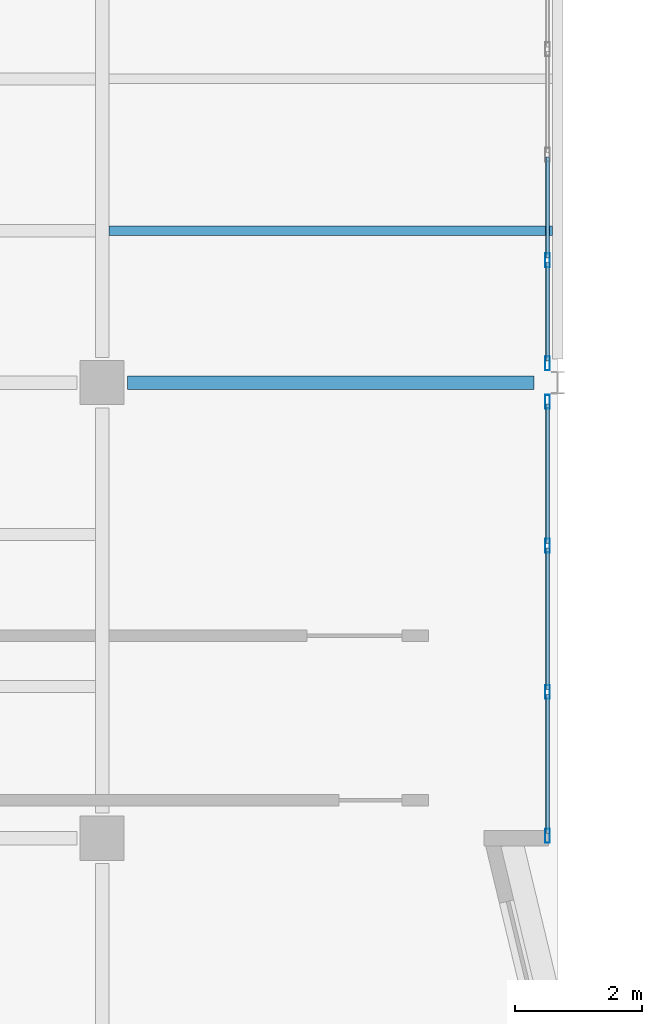
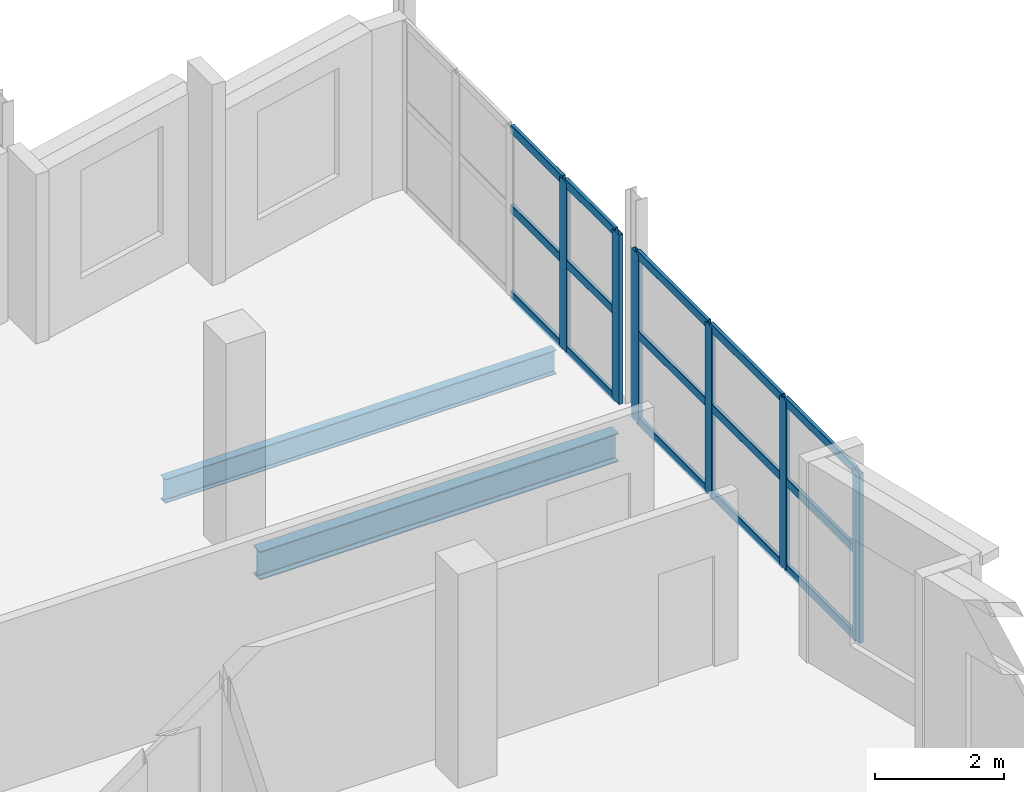
# One storey, part 11 of 38: 21 members, 2 beams, 2 elements without a shape of their own.
"""IFC4 building model written with IfcOpenShell, lengths in metres."""

from ifc_helpers import new_model, si_unit, direction, frame, origin, origin_2d, place, context, subcontext, project, spatial, hollow_rectangle, i_section, extrude, material, material_profile, profile_set, type_object, element, aggregate, save


model = new_model("IFC4")

# Units and contexts
model_context = context("Model", 3, precision=1e-05, world=origin(), true_north=direction((0.0, 1.0)))
body_context = subcontext(model_context, "Body", "Model", "MODEL_VIEW")
ifc_project = project(units=[si_unit("LENGTHUNIT", "METRE"), si_unit("AREAUNIT", "SQUARE_METRE"), si_unit("VOLUMEUNIT", "CUBIC_METRE"), si_unit("PLANEANGLEUNIT", "RADIAN"), si_unit("MASSUNIT", "GRAM", prefix="KILO")], contexts=[model_context])

# Site, building, storey
site_placement = place(None, origin())
site = spatial("IfcSite", under=ifc_project, at=site_placement, CompositionType="ELEMENT")
building_placement = place(site_placement, origin())
building = spatial("IfcBuilding", under=site, at=building_placement, Name="Kalmorath City Hall", CompositionType="ELEMENT")
storey_placement = place(building_placement, frame((0.0, 0.0, 18.89990234375)))
storey = spatial("IfcBuildingStorey", under=building, at=storey_placement, Name="L04", CompositionType="ELEMENT", Elevation=18.89990234375)

# Curtain wall, members
ifc_material_1 = material(Name="Anodised aluminium and laminated glass", Category="aluminium")
curtain_wall_type_1 = type_object("IfcCurtainWallType", Name="Unitised hurricane curtain wall 6670x3208 M1500", PredefinedType="NOTDEFINED", material=ifc_material_1)
curtain_wall_1_placement = place(storey_placement, origin())
curtain_wall_1 = element("IfcCurtainWall", 1, at=curtain_wall_1_placement, inside=storey, type_object=curtain_wall_type_1, Name="L04 curtain wall CW-67X32M15 #163", PredefinedType="NOTDEFINED")
ifc_material_2 = material(Name="Anodised aluminium framing", Category="aluminium")
ifc_material_profile_1 = material_profile(ifc_material_2, hollow_rectangle(XDim=0.074951171875, YDim=0.219970703125, WallThickness=0.00390625, InnerFilletRadius=0.00390625, OuterFilletRadius=0.008056640625, at=origin_2d()), Name="ALU-MUL-220X75X4")
ifc_profile_set_1 = profile_set([ifc_material_profile_1], Name="Anodised aluminium framing")
member_type_1 = type_object("IfcMemberType", Name="Curtain-wall primary mullion 220x75", PredefinedType="MULLION", material=ifc_profile_set_1)
member_1_placement = place(storey_placement, frame((35.840087890625, 30.732421875, 0.0), z_axis=(0.0, 0.0, 1.0), x_axis=(1.0, 0.0, 0.0)))
member_1 = element("IfcMember", 2, at=member_1_placement, type_object=member_type_1, Name="CW-67X32M15 mullion 4", PredefinedType="MULLION", context=body_context, shape_type="SweptSolid", body=[
    extrude(hollow_rectangle(XDim=0.074951171875, YDim=0.219970703125, WallThickness=0.00390625, InnerFilletRadius=0.00390625, OuterFilletRadius=0.008056640625, at=origin_2d()), origin(), (0.0, 0.0, 1.0), 3.2080078125),
])
member_2_placement = place(storey_placement, frame((35.840087890625, 29.1025390625, 0.0), z_axis=(0.0, 0.0, 1.0), x_axis=(1.0, 0.0, 0.0)))
member_2 = element("IfcMember", 3, at=member_2_placement, type_object=member_type_1, Name="CW-67X32M15 mullion 5", PredefinedType="MULLION", context=body_context, shape_type="SweptSolid", body=[
    extrude(hollow_rectangle(XDim=0.074951171875, YDim=0.219970703125, WallThickness=0.00390625, InnerFilletRadius=0.00390625, OuterFilletRadius=0.008056640625, at=origin_2d()), origin(), (0.0, 0.0, 1.0), 3.2080078125),
])

ifc_material_3 = material(Name="Anodised aluminium and laminated glass", Category="aluminium")
curtain_wall_type_2 = type_object("IfcCurtainWallType", Name="Unitised hurricane curtain wall 6935x3208 M2100", PredefinedType="NOTDEFINED", material=ifc_material_3)
curtain_wall_2_placement = place(storey_placement, origin())
curtain_wall_2 = element("IfcCurtainWall", 4, at=curtain_wall_2_placement, inside=storey, type_object=curtain_wall_type_2, Name="L04 curtain wall CW-69X32M21 #164", PredefinedType="NOTDEFINED")
member_3_placement = place(storey_placement, frame((35.840087890625, 28.49755859375, 0.0), z_axis=(0.0, 0.0, 1.0), x_axis=(1.0, 0.0, 0.0)))
member_3 = element("IfcMember", 5, at=member_3_placement, type_object=member_type_1, Name="CW-69X32M21 mullion 1", PredefinedType="MULLION", context=body_context, shape_type="SweptSolid", body=[
    extrude(hollow_rectangle(XDim=0.074951171875, YDim=0.219970703125, WallThickness=0.00390625, InnerFilletRadius=0.00390625, OuterFilletRadius=0.008056640625, at=origin_2d()), origin(), (0.0, 0.0, 1.0), 3.2080078125),
])
member_4_placement = place(storey_placement, frame((35.840087890625, 26.223388671875, 0.0), z_axis=(0.0, 0.0, 1.0), x_axis=(1.0, 0.0, 0.0)))
member_4 = element("IfcMember", 6, at=member_4_placement, type_object=member_type_1, Name="CW-69X32M21 mullion 2", PredefinedType="MULLION", context=body_context, shape_type="SweptSolid", body=[
    extrude(hollow_rectangle(XDim=0.074951171875, YDim=0.219970703125, WallThickness=0.00390625, InnerFilletRadius=0.00390625, OuterFilletRadius=0.008056640625, at=origin_2d()), origin(), (0.0, 0.0, 1.0), 3.2080078125),
])
member_5_placement = place(storey_placement, frame((35.840087890625, 23.91162109375, 0.0), z_axis=(0.0, 0.0, 1.0), x_axis=(1.0, 0.0, 0.0)))
member_5 = element("IfcMember", 7, at=member_5_placement, type_object=member_type_1, Name="CW-69X32M21 mullion 3", PredefinedType="MULLION", context=body_context, shape_type="SweptSolid", body=[
    extrude(hollow_rectangle(XDim=0.074951171875, YDim=0.219970703125, WallThickness=0.00390625, InnerFilletRadius=0.00390625, OuterFilletRadius=0.008056640625, at=origin_2d()), origin(), (0.0, 0.0, 1.0), 3.2080078125),
])
member_6_placement = place(storey_placement, frame((35.840087890625, 21.637451171875, 0.0), z_axis=(0.0, 0.0, 1.0), x_axis=(1.0, 0.0, 0.0)))
member_6 = element("IfcMember", 8, at=member_6_placement, type_object=member_type_1, Name="CW-69X32M21 mullion 4", PredefinedType="MULLION", context=body_context, shape_type="SweptSolid", body=[
    extrude(hollow_rectangle(XDim=0.074951171875, YDim=0.219970703125, WallThickness=0.00390625, InnerFilletRadius=0.00390625, OuterFilletRadius=0.008056640625, at=origin_2d()), origin(), (0.0, 0.0, 1.0), 3.2080078125),
])

# Member
ifc_material_4 = material(Name="Anodised aluminium framing", Category="aluminium")
ifc_material_profile_2 = material_profile(ifc_material_4, hollow_rectangle(XDim=0.06494140625, YDim=0.159912109375, WallThickness=0.00390625, InnerFilletRadius=0.00390625, OuterFilletRadius=0.008056640625, at=origin_2d()), Name="ALU-TRN-160X65X4")
ifc_profile_set_2 = profile_set([ifc_material_profile_2], Name="Anodised aluminium framing")
member_type_2 = type_object("IfcMemberType", Name="Curtain-wall primary transom 160x65", PredefinedType="USERDEFINED", material=ifc_profile_set_2)
member_7_placement = place(storey_placement, frame((35.840087890625, 32.362548828125, 0.03271484375), z_axis=(0.0, -1.0, 0.0), x_axis=(1.0, 0.0, 0.0)))
member_7 = element("IfcMember", 9, at=member_7_placement, type_object=member_type_2, Name="CW-67X32M15 transom 3.1", ObjectType="TRANSOM", PredefinedType="USERDEFINED", context=body_context, shape_type="SweptSolid", body=[
    extrude(hollow_rectangle(XDim=0.06494140625, YDim=0.159912109375, WallThickness=0.00390625, InnerFilletRadius=0.00390625, OuterFilletRadius=0.008056640625, at=origin_2d()), origin(), (0.0, 0.0, 1.0), 1.592529296875),
])

member_8_placement = place(storey_placement, frame((35.840087890625, 32.362548828125, 1.668212890625), z_axis=(0.0, -1.0, 0.0), x_axis=(1.0, 0.0, 0.0)))
member_8 = element("IfcMember", 10, at=member_8_placement, type_object=member_type_2, Name="CW-67X32M15 transom 3.2", ObjectType="TRANSOM", PredefinedType="USERDEFINED", context=body_context, shape_type="SweptSolid", body=[
    extrude(hollow_rectangle(XDim=0.06494140625, YDim=0.159912109375, WallThickness=0.00390625, InnerFilletRadius=0.00390625, OuterFilletRadius=0.008056640625, at=origin_2d()), origin(), (0.0, 0.0, 1.0), 1.592529296875),
])

member_9_placement = place(storey_placement, frame((35.840087890625, 32.362548828125, 3.175537109375), z_axis=(0.0, -1.0, 0.0), x_axis=(1.0, 0.0, 0.0)))
member_9 = element("IfcMember", 11, at=member_9_placement, type_object=member_type_2, Name="CW-67X32M15 transom 3.3", ObjectType="TRANSOM", PredefinedType="USERDEFINED", context=body_context, shape_type="SweptSolid", body=[
    extrude(hollow_rectangle(XDim=0.06494140625, YDim=0.159912109375, WallThickness=0.00390625, InnerFilletRadius=0.00390625, OuterFilletRadius=0.008056640625, at=origin_2d()), origin(), (0.0, 0.0, 1.0), 1.592529296875),
])

member_10_placement = place(storey_placement, frame((35.840087890625, 30.695068359375, 0.03271484375), z_axis=(0.0, -1.0, 0.0), x_axis=(1.0, 0.0, 0.0)))
member_10 = element("IfcMember", 12, at=member_10_placement, type_object=member_type_2, Name="CW-67X32M15 transom 4.1", ObjectType="TRANSOM", PredefinedType="USERDEFINED", context=body_context, shape_type="SweptSolid", body=[
    extrude(hollow_rectangle(XDim=0.06494140625, YDim=0.159912109375, WallThickness=0.00390625, InnerFilletRadius=0.00390625, OuterFilletRadius=0.008056640625, at=origin_2d()), origin(), (0.0, 0.0, 1.0), 1.55517578125),
])

member_11_placement = place(storey_placement, frame((35.840087890625, 30.695068359375, 1.668212890625), z_axis=(0.0, -1.0, 0.0), x_axis=(1.0, 0.0, 0.0)))
member_11 = element("IfcMember", 13, at=member_11_placement, type_object=member_type_2, Name="CW-67X32M15 transom 4.2", ObjectType="TRANSOM", PredefinedType="USERDEFINED", context=body_context, shape_type="SweptSolid", body=[
    extrude(hollow_rectangle(XDim=0.06494140625, YDim=0.159912109375, WallThickness=0.00390625, InnerFilletRadius=0.00390625, OuterFilletRadius=0.008056640625, at=origin_2d()), origin(), (0.0, 0.0, 1.0), 1.55517578125),
])

member_12_placement = place(storey_placement, frame((35.840087890625, 30.695068359375, 3.175537109375), z_axis=(0.0, -1.0, 0.0), x_axis=(1.0, 0.0, 0.0)))
member_12 = element("IfcMember", 14, at=member_12_placement, type_object=member_type_2, Name="CW-67X32M15 transom 4.3", ObjectType="TRANSOM", PredefinedType="USERDEFINED", context=body_context, shape_type="SweptSolid", body=[
    extrude(hollow_rectangle(XDim=0.06494140625, YDim=0.159912109375, WallThickness=0.00390625, InnerFilletRadius=0.00390625, OuterFilletRadius=0.008056640625, at=origin_2d()), origin(), (0.0, 0.0, 1.0), 1.55517578125),
])

aggregate(curtain_wall_1, [member_1, member_2, member_7, member_8, member_9, member_10, member_11, member_12])

member_13_placement = place(storey_placement, frame((35.840087890625, 28.4599609375, 0.03271484375), z_axis=(0.0, -1.0, 0.0), x_axis=(1.0, 0.0, 0.0)))
member_13 = element("IfcMember", 15, at=member_13_placement, type_object=member_type_2, Name="CW-69X32M21 transom 1.1", ObjectType="TRANSOM", PredefinedType="USERDEFINED", context=body_context, shape_type="SweptSolid", body=[
    extrude(hollow_rectangle(XDim=0.06494140625, YDim=0.159912109375, WallThickness=0.00390625, InnerFilletRadius=0.00390625, OuterFilletRadius=0.008056640625, at=origin_2d()), origin(), (0.0, 0.0, 1.0), 2.19921875),
])

member_14_placement = place(storey_placement, frame((35.840087890625, 28.4599609375, 1.668212890625), z_axis=(0.0, -1.0, 0.0), x_axis=(1.0, 0.0, 0.0)))
member_14 = element("IfcMember", 16, at=member_14_placement, type_object=member_type_2, Name="CW-69X32M21 transom 1.2", ObjectType="TRANSOM", PredefinedType="USERDEFINED", context=body_context, shape_type="SweptSolid", body=[
    extrude(hollow_rectangle(XDim=0.06494140625, YDim=0.159912109375, WallThickness=0.00390625, InnerFilletRadius=0.00390625, OuterFilletRadius=0.008056640625, at=origin_2d()), origin(), (0.0, 0.0, 1.0), 2.19921875),
])

member_15_placement = place(storey_placement, frame((35.840087890625, 28.4599609375, 3.175537109375), z_axis=(0.0, -1.0, 0.0), x_axis=(1.0, 0.0, 0.0)))
member_15 = element("IfcMember", 17, at=member_15_placement, type_object=member_type_2, Name="CW-69X32M21 transom 1.3", ObjectType="TRANSOM", PredefinedType="USERDEFINED", context=body_context, shape_type="SweptSolid", body=[
    extrude(hollow_rectangle(XDim=0.06494140625, YDim=0.159912109375, WallThickness=0.00390625, InnerFilletRadius=0.00390625, OuterFilletRadius=0.008056640625, at=origin_2d()), origin(), (0.0, 0.0, 1.0), 2.19921875),
])

member_16_placement = place(storey_placement, frame((35.840087890625, 26.185791015625, 0.03271484375), z_axis=(0.0, -1.0, 0.0), x_axis=(1.0, 0.0, 0.0)))
member_16 = element("IfcMember", 18, at=member_16_placement, type_object=member_type_2, Name="CW-69X32M21 transom 2.1", ObjectType="TRANSOM", PredefinedType="USERDEFINED", context=body_context, shape_type="SweptSolid", body=[
    extrude(hollow_rectangle(XDim=0.06494140625, YDim=0.159912109375, WallThickness=0.00390625, InnerFilletRadius=0.00390625, OuterFilletRadius=0.008056640625, at=origin_2d()), origin(), (0.0, 0.0, 1.0), 2.236572265625),
])

member_17_placement = place(storey_placement, frame((35.840087890625, 26.185791015625, 1.668212890625), z_axis=(0.0, -1.0, 0.0), x_axis=(1.0, 0.0, 0.0)))
member_17 = element("IfcMember", 19, at=member_17_placement, type_object=member_type_2, Name="CW-69X32M21 transom 2.2", ObjectType="TRANSOM", PredefinedType="USERDEFINED", context=body_context, shape_type="SweptSolid", body=[
    extrude(hollow_rectangle(XDim=0.06494140625, YDim=0.159912109375, WallThickness=0.00390625, InnerFilletRadius=0.00390625, OuterFilletRadius=0.008056640625, at=origin_2d()), origin(), (0.0, 0.0, 1.0), 2.236572265625),
])

member_18_placement = place(storey_placement, frame((35.840087890625, 26.185791015625, 3.175537109375), z_axis=(0.0, -1.0, 0.0), x_axis=(1.0, 0.0, 0.0)))
member_18 = element("IfcMember", 20, at=member_18_placement, type_object=member_type_2, Name="CW-69X32M21 transom 2.3", ObjectType="TRANSOM", PredefinedType="USERDEFINED", context=body_context, shape_type="SweptSolid", body=[
    extrude(hollow_rectangle(XDim=0.06494140625, YDim=0.159912109375, WallThickness=0.00390625, InnerFilletRadius=0.00390625, OuterFilletRadius=0.008056640625, at=origin_2d()), origin(), (0.0, 0.0, 1.0), 2.236572265625),
])

member_19_placement = place(storey_placement, frame((35.840087890625, 23.874267578125, 0.03271484375), z_axis=(0.0, -1.0, 0.0), x_axis=(1.0, 0.0, 0.0)))
member_19 = element("IfcMember", 21, at=member_19_placement, type_object=member_type_2, Name="CW-69X32M21 transom 3.1", ObjectType="TRANSOM", PredefinedType="USERDEFINED", context=body_context, shape_type="SweptSolid", body=[
    extrude(hollow_rectangle(XDim=0.06494140625, YDim=0.159912109375, WallThickness=0.00390625, InnerFilletRadius=0.00390625, OuterFilletRadius=0.008056640625, at=origin_2d()), origin(), (0.0, 0.0, 1.0), 2.19921875),
])

member_20_placement = place(storey_placement, frame((35.840087890625, 23.874267578125, 1.668212890625), z_axis=(0.0, -1.0, 0.0), x_axis=(1.0, 0.0, 0.0)))
member_20 = element("IfcMember", 22, at=member_20_placement, type_object=member_type_2, Name="CW-69X32M21 transom 3.2", ObjectType="TRANSOM", PredefinedType="USERDEFINED", context=body_context, shape_type="SweptSolid", body=[
    extrude(hollow_rectangle(XDim=0.06494140625, YDim=0.159912109375, WallThickness=0.00390625, InnerFilletRadius=0.00390625, OuterFilletRadius=0.008056640625, at=origin_2d()), origin(), (0.0, 0.0, 1.0), 2.19921875),
])

member_21_placement = place(storey_placement, frame((35.840087890625, 23.874267578125, 3.175537109375), z_axis=(0.0, -1.0, 0.0), x_axis=(1.0, 0.0, 0.0)))
member_21 = element("IfcMember", 23, at=member_21_placement, type_object=member_type_2, Name="CW-69X32M21 transom 3.3", ObjectType="TRANSOM", PredefinedType="USERDEFINED", context=body_context, shape_type="SweptSolid", body=[
    extrude(hollow_rectangle(XDim=0.06494140625, YDim=0.159912109375, WallThickness=0.00390625, InnerFilletRadius=0.00390625, OuterFilletRadius=0.008056640625, at=origin_2d()), origin(), (0.0, 0.0, 1.0), 2.19921875),
])

aggregate(curtain_wall_2, [member_3, member_4, member_5, member_6, member_13, member_14, member_15, member_16, member_17, member_18, member_19, member_20, member_21])

# Beams
ifc_material_5 = material(Name="Steel ASTM A992 Grade 50", Category="steel")
ifc_material_profile_3 = material_profile(ifc_material_5, i_section(OverallWidth=0.153076171875, OverallDepth=0.455078125, WebThickness=0.008056640625, FlangeThickness=0.01318359375, FilletRadius=0.013916015625, at=origin_2d()), Name="W18X40")
ifc_profile_set_3 = profile_set([ifc_material_profile_3], Name="Steel ASTM A992 Grade 50")
beam_type_1 = type_object("IfcBeamType", Name="Steel composite joist W18X40", PredefinedType="JOIST", material=ifc_profile_set_3)
beam_1_placement = place(storey_placement, frame((28.905517578125, 31.199951171875, -0.521484375), z_axis=(1.0, 0.0, 0.0), x_axis=(0.0, 1.0, 0.0)))
element("IfcBeam", 24, at=beam_1_placement, inside=storey, type_object=beam_type_1, Name="L04 joist SJ4 5.5.1", PredefinedType="JOIST", context=body_context, shape_type="SweptSolid", body=[
    extrude(i_section(OverallWidth=0.153076171875, OverallDepth=0.455078125, WebThickness=0.008056640625, FlangeThickness=0.01318359375, FilletRadius=0.013916015625, at=origin_2d()), origin(), (0.0, 0.0, 1.0), 7.011962890625),
])
ifc_material_6 = material(Name="Steel ASTM A992 Grade 50", Category="steel")
ifc_material_profile_4 = material_profile(ifc_material_6, i_section(OverallWidth=0.2109375, OverallDepth=0.5390625, WebThickness=0.01171875, FlangeThickness=0.018798828125, FilletRadius=0.014892578125, at=origin_2d()), Name="W21X73")
ifc_profile_set_4 = profile_set([ifc_material_profile_4], Name="Steel ASTM A992 Grade 50")
beam_type_2 = type_object("IfcBeamType", Name="Steel floor beam W21X73", PredefinedType="BEAM", material=ifc_profile_set_4)
beam_2_placement = place(storey_placement, frame((29.199951171875, 28.800048828125, -0.5634765625), z_axis=(1.0, 0.0, 0.0), x_axis=(0.0, 1.0, 0.0)))
element("IfcBeam", 25, at=beam_2_placement, inside=storey, type_object=beam_type_2, Name="L04 girder SB1 X5-6/5", PredefinedType="BEAM", context=body_context, shape_type="SweptSolid", body=[
    extrude(i_section(OverallWidth=0.2109375, OverallDepth=0.5390625, WebThickness=0.01171875, FlangeThickness=0.018798828125, FilletRadius=0.014892578125, at=origin_2d()), origin(), (0.0, 0.0, 1.0), 6.425048828125),
])

save(model, "model.ifc")
